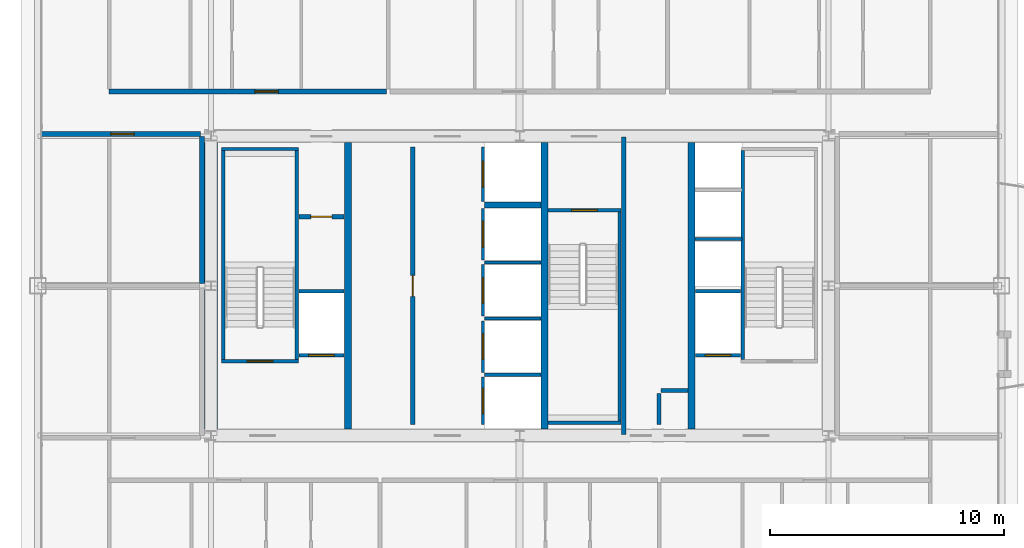
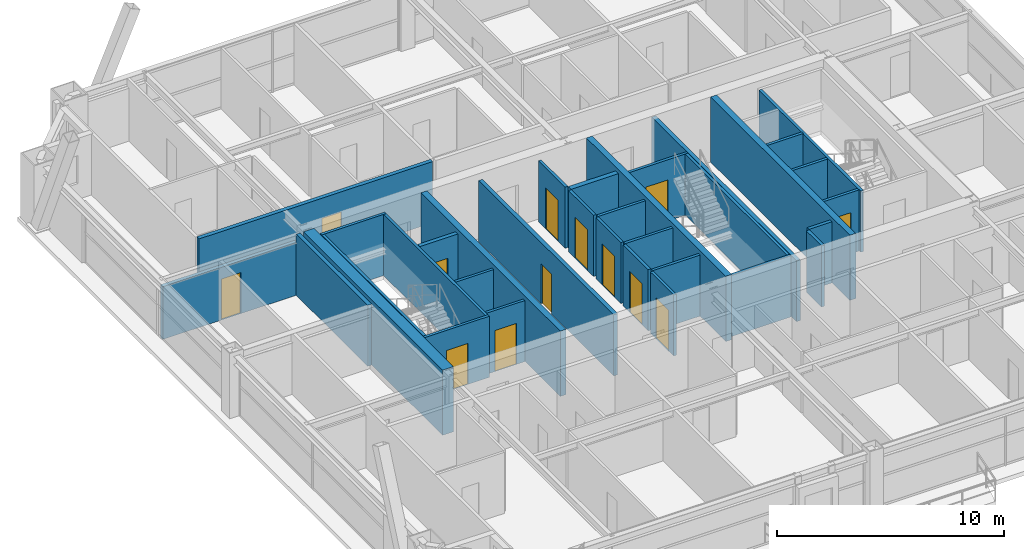
# One storey, part 31 of 35: 34 walls, 13 doors, 13 openings.
"""IFC4 building model written with IfcOpenShell, lengths in metres."""

from ifc_helpers import new_model, si_unit, direction, frame, frame_2d, origin, place, context, subcontext, project, spatial, rectangle, extrude, source, transform, mapped, material, layer, layer_set, type_object, element, fill, save


model = new_model("IFC4")

# Units and contexts
model_context = context("Model", 3, precision=1e-05, world=origin(), true_north=direction((0.0, 1.0)))
body_context = subcontext(model_context, "Body", "Model", "MODEL_VIEW")
ifc_project = project(units=[si_unit("LENGTHUNIT", "METRE"), si_unit("AREAUNIT", "SQUARE_METRE"), si_unit("VOLUMEUNIT", "CUBIC_METRE"), si_unit("PLANEANGLEUNIT", "RADIAN"), si_unit("MASSUNIT", "GRAM", prefix="KILO"), si_unit("THERMODYNAMICTEMPERATUREUNIT", "KELVIN"), si_unit("POWERUNIT", "WATT")], contexts=[model_context])

# Site, building, storey
site_placement = place(None, origin())
site = spatial("IfcSite", under=ifc_project, at=site_placement, CompositionType="ELEMENT")
building_placement = place(site_placement, origin())
building = spatial("IfcBuilding", under=site, at=building_placement, Name="Yuzanri Waterfront Tower", CompositionType="ELEMENT")
storey_placement = place(building_placement, frame((0.0, 0.0, 248.60009765625)))
storey = spatial("IfcBuildingStorey", under=building, at=storey_placement, Name="L66", CompositionType="ELEMENT", Elevation=248.60009765625)

# Wall, opening, door
ifc_material_1 = material(Name="Concrete C40", Category="concrete")
ifc_layer_1 = layer(ifc_material_1, 0.139892578125)
ifc_layer_set_1 = layer_set([ifc_layer_1], Name="Concrete C40")
wall_type_1 = type_object("IfcWallType", Name="Core Stair Liner and Hoistway Shaft Wall 140", PredefinedType="SOLIDWALL", material=ifc_layer_set_1)
wall_1_placement = place(storey_placement, frame((27.56005859375, 22.830078125, 0.0), z_axis=(0.0, 0.0, 1.0), x_axis=(1.0, 0.0, 0.0)))
wall_1 = element("IfcWall", 1, at=wall_1_placement, inside=storey, type_object=wall_type_1, Name="L66 Lift FL-01 Front Shaft Wall", PredefinedType="SOLIDWALL", context=body_context, shape_type="SweptSolid", body=[
    extrude(rectangle(XDim=1.919921875, YDim=0.139892578125, at=frame_2d((0.9599609375, 0.0))), origin(), (0.0, 0.0, 1.0), 3.27978515625),
])
opening_1_placement = place(wall_1_placement, frame((0.409912109375, 0.0, 0.0)))
opening_1 = element("IfcOpeningElement", 2, at=opening_1_placement, cuts=wall_1, Name="Opening LD-FL-01", PredefinedType="OPENING", context=body_context, shape_type="SweptSolid", body=[
    extrude(rectangle(XDim=1.10009765625, YDim=2.199951171875, at=frame_2d((0.550048828125, 1.10009765625))), frame((0.0, 0.0849609375, 0.0), z_axis=(0.0, -1.0, 0.0), x_axis=(1.0, 0.0, 0.0)), (0.0, 0.0, 1.0), 0.169677734375),
])
ifc_material_2 = material(Name="Brushed Bronze and Stainless Steel Cab", Category="steel")
door_type_1 = type_object("IfcDoorType", Name="Center-Parting Bronze Lift Landing Sliding Door 1100x2200", OperationType="NOTDEFINED", PredefinedType="DOOR", material=ifc_material_2)
shared_shape_1 = source(origin(), body_context, "Body", "SweptSolid", [
    extrude(rectangle(XDim=1.10009765625, YDim=2.199951171875, at=frame_2d((0.550048828125, 1.10009765625))), frame((0.0, 0.02490234375, 0.0), z_axis=(0.0, -1.0, 0.0), x_axis=(1.0, 0.0, 0.0)), (0.0, 0.0, 1.0), 0.050048828125),
])
door_1_placement = place(opening_1_placement, origin())
door_1 = element("IfcDoor", 3, at=door_1_placement, inside=storey, type_object=door_type_1, Name="L66 FL-01 Lift Landing Sliding Door", OperationType="SLIDING_TO_LEFT", OverallHeight=2.199951171875, OverallWidth=1.10009765625, PredefinedType="DOOR", context=body_context, shape_type="MappedRepresentation", body=[
    mapped(shared_shape_1, transform((0.0, 0.0, 0.0), scale=1.0)),
])
fill(opening_1, door_1)

wall_2_placement = place(storey_placement, frame((44.52001953125, 22.830078125, 0.0), z_axis=(0.0, 0.0, 1.0), x_axis=(1.0, 0.0, 0.0)))
wall_2 = element("IfcWall", 4, at=wall_2_placement, inside=storey, type_object=wall_type_1, Name="L66 Lift FL-02 Front Shaft Wall", PredefinedType="SOLIDWALL", context=body_context, shape_type="SweptSolid", body=[
    extrude(rectangle(XDim=1.919921875, YDim=0.139892578125, at=frame_2d((0.9599609375, 0.0))), origin(), (0.0, 0.0, 1.0), 3.27978515625),
])
opening_2_placement = place(wall_2_placement, frame((0.409912109375, 0.0, 0.0)))
opening_2 = element("IfcOpeningElement", 5, at=opening_2_placement, cuts=wall_2, Name="Opening LD-FL-02", PredefinedType="OPENING", context=body_context, shape_type="SweptSolid", body=[
    extrude(rectangle(XDim=1.10009765625, YDim=2.199951171875, at=frame_2d((0.550048828125, 1.10009765625))), frame((0.0, 0.0849609375, 0.0), z_axis=(0.0, -1.0, 0.0), x_axis=(1.0, 0.0, 0.0)), (0.0, 0.0, 1.0), 0.169677734375),
])
door_2_placement = place(opening_2_placement, origin())
door_2 = element("IfcDoor", 6, at=door_2_placement, inside=storey, type_object=door_type_1, Name="L66 FL-02 Lift Landing Sliding Door", OperationType="SLIDING_TO_RIGHT", OverallHeight=2.199951171875, OverallWidth=1.10009765625, PredefinedType="DOOR", context=body_context, shape_type="MappedRepresentation", body=[
    mapped(shared_shape_1, transform((0.0, 0.0, 0.0), scale=1.0)),
])
fill(opening_2, door_2)

wall_3_placement = place(storey_placement, frame((35.429931640625, 19.860107421875, 0.0), z_axis=(0.0, 0.0, 1.0), x_axis=(0.0, 1.0, 0.0)))
wall_3 = element("IfcWall", 7, at=wall_3_placement, inside=storey, type_object=wall_type_1, Name="L66 Lift PL-05 Front Shaft Wall", PredefinedType="SOLIDWALL", context=body_context, shape_type="SweptSolid", body=[
    extrude(rectangle(XDim=2.039794921875, YDim=0.139892578125, at=frame_2d((1.02001953125, 0.0))), origin(), (0.0, 0.0, 1.0), 3.27978515625),
])
opening_3_placement = place(wall_3_placement, frame((0.469970703125, 0.0, 0.0)))
opening_3 = element("IfcOpeningElement", 8, at=opening_3_placement, cuts=wall_3, Name="Opening LD-PL-05", PredefinedType="OPENING", context=body_context, shape_type="SweptSolid", body=[
    extrude(rectangle(XDim=1.10009765625, YDim=2.199951171875, at=frame_2d((0.550048828125, 1.10009765625))), frame((0.0, 0.0849609375, 0.0), z_axis=(0.0, -1.0, 0.0), x_axis=(1.0, 0.0, 0.0)), (0.0, 0.0, 1.0), 0.169677734375),
])
door_3_placement = place(opening_3_placement, origin())
door_3 = element("IfcDoor", 9, at=door_3_placement, inside=storey, type_object=door_type_1, Name="L66 PL-05 Lift Landing Sliding Door", OperationType="SLIDING_TO_RIGHT", OverallHeight=2.199951171875, OverallWidth=1.10009765625, PredefinedType="DOOR", context=body_context, shape_type="MappedRepresentation", body=[
    mapped(shared_shape_1, transform((0.0, 0.0, 0.0), scale=1.0)),
])
fill(opening_3, door_3)

wall_4_placement = place(storey_placement, frame((35.429931640625, 22.10009765625, 0.0), z_axis=(0.0, 0.0, 1.0), x_axis=(0.0, 1.0, 0.0)))
wall_4 = element("IfcWall", 10, at=wall_4_placement, inside=storey, type_object=wall_type_1, Name="L66 Lift PL-06 Front Shaft Wall", PredefinedType="SOLIDWALL", context=body_context, shape_type="SweptSolid", body=[
    extrude(rectangle(XDim=2.199951171875, YDim=0.139892578125, at=frame_2d((1.10009765625, 0.0))), origin(), (0.0, 0.0, 1.0), 3.27978515625),
])
opening_4_placement = place(wall_4_placement, frame((0.550048828125, 0.0, 0.0)))
opening_4 = element("IfcOpeningElement", 11, at=opening_4_placement, cuts=wall_4, Name="Opening LD-PL-06", PredefinedType="OPENING", context=body_context, shape_type="SweptSolid", body=[
    extrude(rectangle(XDim=1.10009765625, YDim=2.199951171875, at=frame_2d((0.550048828125, 1.10009765625))), frame((0.0, 0.0849609375, 0.0), z_axis=(0.0, -1.0, 0.0), x_axis=(1.0, 0.0, 0.0)), (0.0, 0.0, 1.0), 0.169677734375),
])
door_4_placement = place(opening_4_placement, origin())
door_4 = element("IfcDoor", 12, at=door_4_placement, inside=storey, type_object=door_type_1, Name="L66 PL-06 Lift Landing Sliding Door", OperationType="SLIDING_TO_LEFT", OverallHeight=2.199951171875, OverallWidth=1.10009765625, PredefinedType="DOOR", context=body_context, shape_type="MappedRepresentation", body=[
    mapped(shared_shape_1, transform((0.0, 0.0, 0.0), scale=1.0)),
])
fill(opening_4, door_4)

wall_5_placement = place(storey_placement, frame((35.429931640625, 24.5, 0.0), z_axis=(0.0, 0.0, 1.0), x_axis=(0.0, 1.0, 0.0)))
wall_5 = element("IfcWall", 13, at=wall_5_placement, inside=storey, type_object=wall_type_1, Name="L66 Lift PL-07 Front Shaft Wall", PredefinedType="SOLIDWALL", context=body_context, shape_type="SweptSolid", body=[
    extrude(rectangle(XDim=2.199951171875, YDim=0.139892578125, at=frame_2d((1.10009765625, 0.0))), origin(), (0.0, 0.0, 1.0), 3.27978515625),
])
opening_5_placement = place(wall_5_placement, frame((0.550048828125, 0.0, 0.0)))
opening_5 = element("IfcOpeningElement", 14, at=opening_5_placement, cuts=wall_5, Name="Opening LD-PL-07", PredefinedType="OPENING", context=body_context, shape_type="SweptSolid", body=[
    extrude(rectangle(XDim=1.10009765625, YDim=2.199951171875, at=frame_2d((0.550048828125, 1.10009765625))), frame((0.0, 0.0849609375, 0.0), z_axis=(0.0, -1.0, 0.0), x_axis=(1.0, 0.0, 0.0)), (0.0, 0.0, 1.0), 0.169677734375),
])
door_5_placement = place(opening_5_placement, origin())
door_5 = element("IfcDoor", 15, at=door_5_placement, inside=storey, type_object=door_type_1, Name="L66 PL-07 Lift Landing Sliding Door", OperationType="SLIDING_TO_RIGHT", OverallHeight=2.199951171875, OverallWidth=1.10009765625, PredefinedType="DOOR", context=body_context, shape_type="MappedRepresentation", body=[
    mapped(shared_shape_1, transform((0.0, 0.0, 0.0), scale=1.0)),
])
fill(opening_5, door_5)

wall_6_placement = place(storey_placement, frame((35.429931640625, 26.89990234375, 0.0), z_axis=(0.0, 0.0, 1.0), x_axis=(0.0, 1.0, 0.0)))
wall_6 = element("IfcWall", 16, at=wall_6_placement, inside=storey, type_object=wall_type_1, Name="L66 Lift PL-08 Front Shaft Wall", PredefinedType="SOLIDWALL", context=body_context, shape_type="SweptSolid", body=[
    extrude(rectangle(XDim=2.2001953125, YDim=0.139892578125, at=frame_2d((1.10009765625, 0.0))), origin(), (0.0, 0.0, 1.0), 3.27978515625),
])
opening_6_placement = place(wall_6_placement, frame((0.550048828125, 0.0, 0.0)))
opening_6 = element("IfcOpeningElement", 17, at=opening_6_placement, cuts=wall_6, Name="Opening LD-PL-08", PredefinedType="OPENING", context=body_context, shape_type="SweptSolid", body=[
    extrude(rectangle(XDim=1.10009765625, YDim=2.199951171875, at=frame_2d((0.550048828125, 1.10009765625))), frame((0.0, 0.0849609375, 0.0), z_axis=(0.0, -1.0, 0.0), x_axis=(1.0, 0.0, 0.0)), (0.0, 0.0, 1.0), 0.169677734375),
])
door_6_placement = place(opening_6_placement, origin())
door_6 = element("IfcDoor", 18, at=door_6_placement, inside=storey, type_object=door_type_1, Name="L66 PL-08 Lift Landing Sliding Door", OperationType="SLIDING_TO_LEFT", OverallHeight=2.199951171875, OverallWidth=1.10009765625, PredefinedType="DOOR", context=body_context, shape_type="MappedRepresentation", body=[
    mapped(shared_shape_1, transform((0.0, 0.0, 0.0), scale=1.0)),
])
fill(opening_6, door_6)

wall_7_placement = place(storey_placement, frame((35.429931640625, 29.39990234375, 0.0), z_axis=(0.0, 0.0, 1.0), x_axis=(0.0, 1.0, 0.0)))
wall_7 = element("IfcWall", 19, at=wall_7_placement, inside=storey, type_object=wall_type_1, Name="L66 Lift SL-02 Front Shaft Wall", PredefinedType="SOLIDWALL", context=body_context, shape_type="SweptSolid", body=[
    extrude(rectangle(XDim=2.340087890625, YDim=0.139892578125, at=frame_2d((1.169921875, 0.0))), origin(), (0.0, 0.0, 1.0), 3.27978515625),
])
opening_7_placement = place(wall_7_placement, frame((0.6201171875, 0.0, 0.0)))
opening_7 = element("IfcOpeningElement", 20, at=opening_7_placement, cuts=wall_7, Name="Opening LD-SL-02", PredefinedType="OPENING", context=body_context, shape_type="SweptSolid", body=[
    extrude(rectangle(XDim=1.10009765625, YDim=2.199951171875, at=frame_2d((0.550048828125, 1.10009765625))), frame((0.0, 0.0849609375, 0.0), z_axis=(0.0, -1.0, 0.0), x_axis=(1.0, 0.0, 0.0)), (0.0, 0.0, 1.0), 0.169677734375),
])
door_7_placement = place(opening_7_placement, origin())
door_7 = element("IfcDoor", 21, at=door_7_placement, inside=storey, type_object=door_type_1, Name="L66 SL-02 Lift Landing Sliding Door", OperationType="SLIDING_TO_RIGHT", OverallHeight=2.199951171875, OverallWidth=1.10009765625, PredefinedType="DOOR", context=body_context, shape_type="MappedRepresentation", body=[
    mapped(shared_shape_1, transform((0.0, 0.0, 0.0), scale=1.0)),
])
fill(opening_7, door_7)

wall_8_placement = place(storey_placement, frame((24.260009765625, 22.570068359375, 0.0), z_axis=(0.0, 0.0, 1.0), x_axis=(1.0, 0.0, 0.0)))
wall_8 = element("IfcWall", 22, at=wall_8_placement, inside=storey, type_object=wall_type_1, Name="L66 Shaft Wall STW-L66-ST-01-S", PredefinedType="SOLIDWALL", context=body_context, shape_type="SweptSolid", body=[
    extrude(rectangle(XDim=3.280029296875, YDim=0.139892578125, at=frame_2d((1.64013671875, 0.0))), origin(), (0.0, 0.0, 1.0), 3.27978515625),
])
opening_8_placement = place(wall_8_placement, frame((1.090087890625, 0.0, 0.0)))
opening_8 = element("IfcOpeningElement", 23, at=opening_8_placement, cuts=wall_8, Name="Opening FD-1100", PredefinedType="OPENING", context=body_context, shape_type="SweptSolid", body=[
    extrude(rectangle(XDim=1.10009765625, YDim=2.199951171875, at=frame_2d((0.550048828125, 1.10009765625))), frame((0.0, 0.0849609375, 0.0), z_axis=(0.0, -1.0, 0.0), x_axis=(1.0, 0.0, 0.0)), (0.0, 0.0, 1.0), 0.169677734375),
])
ifc_material_3 = material(Name="Painted Galvanized Fire Steel", Category="steel")
door_type_2 = type_object("IfcDoorType", Name="Smoke-Proof Stair and Lobby Fire Door 1100x2200", OperationType="NOTDEFINED", PredefinedType="DOOR", material=ifc_material_3)
shared_shape_2 = source(origin(), body_context, "Body", "SweptSolid", [
    extrude(rectangle(XDim=1.10009765625, YDim=2.199951171875, at=frame_2d((0.550048828125, 1.10009765625))), frame((0.0, 0.02490234375, 0.0), z_axis=(0.0, -1.0, 0.0), x_axis=(1.0, 0.0, 0.0)), (0.0, 0.0, 1.0), 0.050048828125),
])
door_8_placement = place(opening_8_placement, origin())
door_8 = element("IfcDoor", 24, at=door_8_placement, inside=storey, type_object=door_type_2, Name="L66 Stair ST-01 Fire Door", OperationType="SINGLE_SWING_LEFT", OverallHeight=2.199951171875, OverallWidth=1.10009765625, PredefinedType="DOOR", context=body_context, shape_type="MappedRepresentation", body=[
    mapped(shared_shape_2, transform((0.0, 0.0, 0.0), scale=1.0)),
])
fill(opening_8, door_8)

wall_9_placement = place(storey_placement, frame((38.199951171875, 29.030029296875, 0.0), z_axis=(0.0, 0.0, 1.0), x_axis=(1.0, 0.0, 0.0)))
wall_9 = element("IfcWall", 25, at=wall_9_placement, inside=storey, type_object=wall_type_1, Name="L66 Shaft Wall STW-L66-ST-03-N", PredefinedType="SOLIDWALL", context=body_context, shape_type="SweptSolid", body=[
    extrude(rectangle(XDim=3.14013671875, YDim=0.139892578125, at=frame_2d((1.570068359375, 0.0))), origin(), (0.0, 0.0, 1.0), 3.27978515625),
])
opening_9_placement = place(wall_9_placement, frame((1.02001953125, 0.0, 0.0)))
opening_9 = element("IfcOpeningElement", 26, at=opening_9_placement, cuts=wall_9, Name="Opening FD-1100", PredefinedType="OPENING", context=body_context, shape_type="SweptSolid", body=[
    extrude(rectangle(XDim=1.10009765625, YDim=2.199951171875, at=frame_2d((0.550048828125, 1.10009765625))), frame((0.0, 0.0849609375, 0.0), z_axis=(0.0, -1.0, 0.0), x_axis=(1.0, 0.0, 0.0)), (0.0, 0.0, 1.0), 0.169677734375),
])
door_9_placement = place(opening_9_placement, origin())
door_9 = element("IfcDoor", 27, at=door_9_placement, inside=storey, type_object=door_type_2, Name="L66 Stair ST-03 Fire Door", OperationType="SINGLE_SWING_LEFT", OverallHeight=2.199951171875, OverallWidth=1.10009765625, PredefinedType="DOOR", context=body_context, shape_type="MappedRepresentation", body=[
    mapped(shared_shape_2, transform((0.0, 0.0, 0.0), scale=1.0)),
])
fill(opening_9, door_9)

ifc_material_4 = material(Name="Autoclaved Aerated Concrete Blockwork", Category="masonry")
ifc_layer_2 = layer(ifc_material_4, 0.199951171875)
ifc_layer_set_2 = layer_set([ifc_layer_2], Name="Autoclaved Aerated Concrete Blockwork")
wall_type_2 = type_object("IfcWallType", Name="Corridor and Unit Party Fire Wall 200", PredefinedType="PARTITIONING", material=ifc_layer_set_2)
wall_10_placement = place(storey_placement, frame((27.56005859375, 28.75, 0.0), z_axis=(0.0, 0.0, 1.0), x_axis=(1.0, 0.0, 0.0)))
wall_10 = element("IfcWall", 28, at=wall_10_placement, inside=storey, type_object=wall_type_2, Name="L66 Partition CRW-L66-ERTR", PredefinedType="PARTITIONING", context=body_context, shape_type="SweptSolid", body=[
    extrude(rectangle(XDim=1.919921875, YDim=0.199951171875, at=frame_2d((0.9599609375, 0.0))), origin(), (0.0, 0.0, 1.0), 3.27978515625),
])
opening_10_placement = place(wall_10_placement, frame((0.510009765625, 0.0, 0.0)))
opening_10 = element("IfcOpeningElement", 29, at=opening_10_placement, cuts=wall_10, Name="Opening FD-0900", PredefinedType="OPENING", context=body_context, shape_type="SweptSolid", body=[
    extrude(rectangle(XDim=0.89990234375, YDim=2.14990234375, at=frame_2d((0.449951171875, 1.074951171875))), frame((0.0, 0.11474609375, 0.0), z_axis=(0.0, -1.0, 0.0), x_axis=(1.0, 0.0, 0.0)), (0.0, 0.0, 1.0), 0.229736328125),
])
ifc_material_5 = material(Name="Painted Galvanized Fire Steel", Category="steel")
door_type_3 = type_object("IfcDoorType", Name="Riser and Service Room Fire Door 900x2150", OperationType="NOTDEFINED", PredefinedType="DOOR", material=ifc_material_5)
shared_shape_3 = source(origin(), body_context, "Body", "SweptSolid", [
    extrude(rectangle(XDim=0.89990234375, YDim=2.14990234375, at=frame_2d((0.449951171875, 1.074951171875))), frame((0.0, 0.02490234375, 0.0), z_axis=(0.0, -1.0, 0.0), x_axis=(1.0, 0.0, 0.0)), (0.0, 0.0, 1.0), 0.050048828125),
])
door_10_placement = place(opening_10_placement, origin())
door_10 = element("IfcDoor", 30, at=door_10_placement, inside=storey, type_object=door_type_3, Name="L66 Electrical Riser Door", OperationType="SINGLE_SWING_RIGHT", OverallHeight=2.14990234375, OverallWidth=0.89990234375, PredefinedType="DOOR", context=body_context, shape_type="MappedRepresentation", body=[
    mapped(shared_shape_3, transform((0.0, 0.0, 0.0), scale=1.0)),
])
fill(opening_10, door_10)

wall_11_placement = place(storey_placement, frame((32.419921875, 19.860107421875, 0.0), z_axis=(0.0, 0.0, 1.0), x_axis=(0.0, 1.0, 0.0)))
wall_11 = element("IfcWall", 31, at=wall_11_placement, inside=storey, type_object=wall_type_2, Name="L66 Partition CRW-L66-B1R-1", PredefinedType="PARTITIONING", context=body_context, shape_type="SweptSolid", body=[
    extrude(rectangle(XDim=11.8798828125, YDim=0.199951171875, at=frame_2d((5.93994140625, 0.0))), origin(), (0.0, 0.0, 1.0), 3.27978515625),
])
opening_11_placement = place(wall_11_placement, frame((5.489990234375, 0.0, 0.0)))
opening_11 = element("IfcOpeningElement", 32, at=opening_11_placement, cuts=wall_11, Name="Opening FD-0900", PredefinedType="OPENING", context=body_context, shape_type="SweptSolid", body=[
    extrude(rectangle(XDim=0.89990234375, YDim=2.14990234375, at=frame_2d((0.449951171875, 1.074951171875))), frame((0.0, 0.11474609375, 0.0), z_axis=(0.0, -1.0, 0.0), x_axis=(1.0, 0.0, 0.0)), (0.0, 0.0, 1.0), 0.229736328125),
])
door_11_placement = place(opening_11_placement, origin())
door_11 = element("IfcDoor", 33, at=door_11_placement, inside=storey, type_object=door_type_3, Name="L66 Private Store Room", OperationType="SINGLE_SWING_LEFT", OverallHeight=2.14990234375, OverallWidth=0.89990234375, PredefinedType="DOOR", context=body_context, shape_type="MappedRepresentation", body=[
    mapped(shared_shape_3, transform((0.0, 0.0, 0.0), scale=1.0)),
])
fill(opening_11, door_11)

wall_12_placement = place(storey_placement, frame((19.43994140625, 34.110107421875, 0.0), z_axis=(0.0, 0.0, 1.0), x_axis=(1.0, 0.0, 0.0)))
wall_12 = element("IfcWall", 34, at=wall_12_placement, inside=storey, type_object=wall_type_2, Name="L66 Partition UW-L66-RN1-CS", PredefinedType="PARTITIONING", context=body_context, shape_type="SweptSolid", body=[
    extrude(rectangle(XDim=11.861083984375, YDim=0.199951171875, at=frame_2d((5.9306640625, 0.0))), origin(), (0.0, 0.0, 1.0), 3.27978515625),
])
opening_12_placement = place(wall_12_placement, frame((6.238037109375, 0.0, 0.0)))
opening_12 = element("IfcOpeningElement", 35, at=opening_12_placement, cuts=wall_12, Name="Opening FD-1000", PredefinedType="OPENING", context=body_context, shape_type="SweptSolid", body=[
    extrude(rectangle(XDim=1.0, YDim=2.199951171875, at=frame_2d((0.5, 1.10009765625))), frame((0.0, 0.11474609375, 0.0), z_axis=(0.0, -1.0, 0.0), x_axis=(1.0, 0.0, 0.0)), (0.0, 0.0, 1.0), 0.229736328125),
])
ifc_material_6 = material(Name="Engineered Oak Fire-Rated Timber", Category="wood")
door_type_4 = type_object("IfcDoorType", Name="Guestroom and Apartment Entrance Fire Door 1000x2200", OperationType="NOTDEFINED", PredefinedType="DOOR", material=ifc_material_6)
shared_shape_4 = source(origin(), body_context, "Body", "SweptSolid", [
    extrude(rectangle(XDim=1.0, YDim=2.199951171875, at=frame_2d((0.5, 1.10009765625))), frame((0.0, 0.02490234375, 0.0), z_axis=(0.0, -1.0, 0.0), x_axis=(1.0, 0.0, 0.0)), (0.0, 0.0, 1.0), 0.050048828125),
])
door_12_placement = place(opening_12_placement, origin())
door_12 = element("IfcDoor", 36, at=door_12_placement, inside=storey, type_object=door_type_4, Name="L66 Apartment Living and Dining Salon Entrance Door", OperationType="SINGLE_SWING_RIGHT", OverallHeight=2.199951171875, OverallWidth=1.0, PredefinedType="DOOR", context=body_context, shape_type="MappedRepresentation", body=[
    mapped(shared_shape_4, transform((0.0, 0.0, 0.0), scale=1.0)),
])
fill(opening_12, door_12)

wall_13_placement = place(storey_placement, frame((16.550048828125, 32.2900390625, 0.0), z_axis=(0.0, 0.0, 1.0), x_axis=(1.0, 0.0, 0.0)))
wall_13 = element("IfcWall", 37, at=wall_13_placement, inside=storey, type_object=wall_type_2, Name="L66 Partition UW-L66-048-CN", PredefinedType="PARTITIONING", context=body_context, shape_type="SweptSolid", body=[
    extrude(rectangle(XDim=6.800048828125, YDim=0.199951171875, at=frame_2d((3.39990234375, 0.0))), origin(), (0.0, 0.0, 1.0), 2.824951171875),
])
opening_13_placement = place(wall_13_placement, frame((2.965087890625, 0.0, 0.0)))
opening_13 = element("IfcOpeningElement", 38, at=opening_13_placement, cuts=wall_13, Name="Opening FD-1000", PredefinedType="OPENING", context=body_context, shape_type="SweptSolid", body=[
    extrude(rectangle(XDim=1.0, YDim=2.199951171875, at=frame_2d((0.5, 1.10009765625))), frame((0.0, 0.11474609375, 0.0), z_axis=(0.0, -1.0, 0.0), x_axis=(1.0, 0.0, 0.0)), (0.0, 0.0, 1.0), 0.229736328125),
])
door_13_placement = place(opening_13_placement, origin())
door_13 = element("IfcDoor", 39, at=door_13_placement, inside=storey, type_object=door_type_4, Name="L66 Residents W Executive Office 2 Entrance Door", OperationType="SINGLE_SWING_LEFT", OverallHeight=2.199951171875, OverallWidth=1.0, PredefinedType="DOOR", context=body_context, shape_type="MappedRepresentation", body=[
    mapped(shared_shape_4, transform((0.0, 0.0, 0.0), scale=1.0)),
])
fill(opening_13, door_13)

# Walls
ifc_material_7 = material(Name="Concrete C50", Category="concrete")
ifc_layer_3 = layer(ifc_material_7, 0.550048828125)
ifc_layer_set_3 = layer_set([ifc_layer_3], Name="Concrete C50")
wall_type_3 = type_object("IfcWallType", Name="Concrete C50 Upper-Mid Zone Core Shear Wall 550", PredefinedType="SHEAR", material=ifc_layer_set_3)
shared_shape_5 = source(origin(), body_context, "Body", "SweptSolid", [
    extrude(rectangle(XDim=12.25, YDim=0.550048828125, at=frame_2d((6.125, 0.0))), origin(), (0.0, 0.0, 1.0), 3.5),
])
wall_14_placement = place(storey_placement, frame((23.800048828125, 19.675048828125, 0.0), z_axis=(0.0, 0.0, 1.0), x_axis=(0.0, 1.0, 0.0)))
element("IfcWall", 40, at=wall_14_placement, inside=storey, type_object=wall_type_3, Name="L66 Core West Shear Wall", PredefinedType="SHEAR", context=body_context, shape_type="MappedRepresentation", body=[
    mapped(shared_shape_5, transform((0.0, 0.0, 0.0), scale=1.0)),
])
ifc_material_8 = material(Name="Concrete C50", Category="concrete")
ifc_layer_4 = layer(ifc_material_8, 0.300048828125)
ifc_layer_set_4 = layer_set([ifc_layer_4], Name="Concrete C50")
wall_type_4 = type_object("IfcWallType", Name="Concrete C50 Internal Core Shaft Structural Wall 300", PredefinedType="SOLIDWALL", material=ifc_layer_set_4)
shared_shape_6 = source(origin(), body_context, "Body", "SweptSolid", [
    extrude(rectangle(XDim=12.25, YDim=0.300048828125, at=frame_2d((6.125, 0.0))), origin(), (0.0, 0.0, 1.0), 3.5),
])
for number, where, z_axis, x_axis, name in (
    (41, (29.64990234375, 19.675048828125, 0.0), (0.0, 0.0, 1.0), (0.0, 1.0, 0.0), "L66 Core Internal Structural Web Wall 1"),
    (42, (38.050048828125, 19.675048828125, 0.0), (0.0, 0.0, 1.0), (0.0, 1.0, 0.0), "L66 Core Internal Structural Web Wall 2"),
    (43, (44.35009765625, 19.675048828125, 0.0), (0.0, 0.0, 1.0), (0.0, 1.0, 0.0), "L66 Core Internal Structural Web Wall 3"),
):
    element("IfcWall", number, at=place(storey_placement, frame(where, z_axis=z_axis, x_axis=x_axis)), inside=storey, type_object=wall_type_4, Name=name, PredefinedType="SOLIDWALL", context=body_context, shape_type="MappedRepresentation", body=[
        mapped(shared_shape_6, transform((0.0, 0.0, 0.0), scale=1.0)),
    ])
shared_shape_7 = source(origin(), body_context, "Body", "SweptSolid", [
    extrude(rectangle(XDim=1.919921875, YDim=0.139892578125, at=frame_2d((0.9599609375, 0.0))), origin(), (0.0, 0.0, 1.0), 3.27978515625),
])
for number, where, z_axis, x_axis, name in (
    (44, (27.56005859375, 25.570068359375, 0.0), (0.0, 0.0, 1.0), (1.0, 0.0, 0.0), "L66 Lift FL-01 Back Shaft Wall"),
    (45, (44.52001953125, 25.570068359375, 0.0), (0.0, 0.0, 1.0), (1.0, 0.0, 0.0), "L66 Lift FL-02 Back Shaft Wall"),
):
    element("IfcWall", number, at=place(storey_placement, frame(where, z_axis=z_axis, x_axis=x_axis)), inside=storey, type_object=wall_type_1, Name=name, PredefinedType="SOLIDWALL", context=body_context, shape_type="MappedRepresentation", body=[
        mapped(shared_shape_7, transform((0.0, 0.0, 0.0), scale=1.0)),
    ])
shared_shape_8 = source(origin(), body_context, "Body", "SweptSolid", [
    extrude(rectangle(XDim=2.39990234375, YDim=0.139892578125, at=frame_2d((1.199951171875, 0.0))), origin(), (0.0, 0.0, 1.0), 3.27978515625),
])
for number, where, z_axis, x_axis, name in (
    (46, (35.5, 22.0, 0.0), (0.0, 0.0, 1.0), (1.0, 0.0, 0.0), "L66 Lift PL-05 Divider Wall"),
    (47, (35.5, 24.39990234375, 0.0), (0.0, 0.0, 1.0), (1.0, 0.0, 0.0), "L66 Lift PL-06 Divider Wall"),
    (48, (35.5, 26.800048828125, 0.0), (0.0, 0.0, 1.0), (1.0, 0.0, 0.0), "L66 Lift PL-07 Divider Wall"),
):
    element("IfcWall", number, at=place(storey_placement, frame(where, z_axis=z_axis, x_axis=x_axis)), inside=storey, type_object=wall_type_1, Name=name, PredefinedType="SOLIDWALL", context=body_context, shape_type="MappedRepresentation", body=[
        mapped(shared_shape_8, transform((0.0, 0.0, 0.0), scale=1.0)),
    ])
ifc_material_9 = material(Name="Concrete C40", Category="concrete")
ifc_layer_5 = layer(ifc_material_9, 0.25)
ifc_layer_set_5 = layer_set([ifc_layer_5], Name="Concrete C40")
wall_type_5 = type_object("IfcWallType", Name="Smoke-Proof Stair and Lift Shaft Wall 250", PredefinedType="SOLIDWALL", material=ifc_layer_set_5)
shared_shape_9 = source(origin(), body_context, "Body", "SweptSolid", [
    extrude(rectangle(XDim=2.39990234375, YDim=0.25, at=frame_2d((1.199951171875, 0.0))), origin(), (0.0, 0.0, 1.0), 3.27978515625),
])
wall_15_placement = place(storey_placement, frame((35.5, 29.25, 0.0), z_axis=(0.0, 0.0, 1.0), x_axis=(1.0, 0.0, 0.0)))
element("IfcWall", 49, at=wall_15_placement, inside=storey, type_object=wall_type_5, Name="L66 Lift SL-02 South Shaft Wall", PredefinedType="SOLIDWALL", context=body_context, shape_type="MappedRepresentation", body=[
    mapped(shared_shape_9, transform((0.0, 0.0, 0.0), scale=1.0)),
])
shared_shape_10 = source(origin(), body_context, "Body", "SweptSolid", [
    extrude(rectangle(XDim=2.0, YDim=0.139892578125, at=frame_2d((1.0, 0.0))), origin(), (0.0, 0.0, 1.0), 3.27978515625),
])
wall_16_placement = place(storey_placement, frame((44.5, 27.800048828125, 0.0), z_axis=(0.0, 0.0, 1.0), x_axis=(1.0, 0.0, 0.0)))
element("IfcWall", 50, at=wall_16_placement, inside=storey, type_object=wall_type_1, Name="L66 Lift PL-09 Divider Wall", PredefinedType="SOLIDWALL", context=body_context, shape_type="MappedRepresentation", body=[
    mapped(shared_shape_10, transform((0.0, 0.0, 0.0), scale=1.0)),
])
shared_shape_11 = source(origin(), body_context, "Body", "SweptSolid", [
    extrude(rectangle(XDim=3.280029296875, YDim=0.139892578125, at=frame_2d((1.64013671875, 0.0))), origin(), (0.0, 0.0, 1.0), 3.27978515625),
])
wall_17_placement = place(storey_placement, frame((24.260009765625, 31.64990234375, 0.0), z_axis=(0.0, 0.0, 1.0), x_axis=(1.0, 0.0, 0.0)))
element("IfcWall", 51, at=wall_17_placement, inside=storey, type_object=wall_type_1, Name="L66 Stair ST-01 North Shaft Wall", PredefinedType="SOLIDWALL", context=body_context, shape_type="MappedRepresentation", body=[
    mapped(shared_shape_11, transform((0.0, 0.0, 0.0), scale=1.0)),
])
shared_shape_12 = source(origin(), body_context, "Body", "SweptSolid", [
    extrude(rectangle(XDim=8.940185546875, YDim=0.139892578125, at=frame_2d((4.47021484375, 0.0))), origin(), (0.0, 0.0, 1.0), 3.27978515625),
])
for number, where, z_axis, x_axis, name in (
    (52, (24.330078125, 22.639892578125, 0.0), (0.0, 0.0, 1.0), (0.0, 1.0, 0.0), "L66 Stair ST-01 West Shaft Wall"),
    (53, (27.469970703125, 22.639892578125, 0.0), (0.0, 0.0, 1.0), (0.0, 1.0, 0.0), "L66 Stair ST-01 East Shaft Wall"),
    (54, (46.530029296875, 22.639892578125, 0.0), (0.0, 0.0, 1.0), (0.0, 1.0, 0.0), "L66 Stair ST-02 West Shaft Wall"),
):
    element("IfcWall", number, at=place(storey_placement, frame(where, z_axis=z_axis, x_axis=x_axis)), inside=storey, type_object=wall_type_1, Name=name, PredefinedType="SOLIDWALL", context=body_context, shape_type="MappedRepresentation", body=[
        mapped(shared_shape_12, transform((0.0, 0.0, 0.0), scale=1.0)),
    ])
shared_shape_13 = source(origin(), body_context, "Body", "SweptSolid", [
    extrude(rectangle(XDim=3.14013671875, YDim=0.139892578125, at=frame_2d((1.570068359375, 0.0))), origin(), (0.0, 0.0, 1.0), 3.27978515625),
])
wall_18_placement = place(storey_placement, frame((38.199951171875, 19.949951171875, 0.0), z_axis=(0.0, 0.0, 1.0), x_axis=(1.0, 0.0, 0.0)))
element("IfcWall", 55, at=wall_18_placement, inside=storey, type_object=wall_type_1, Name="L66 Stair ST-03 South Shaft Wall", PredefinedType="SOLIDWALL", context=body_context, shape_type="MappedRepresentation", body=[
    mapped(shared_shape_13, transform((0.0, 0.0, 0.0), scale=1.0)),
])
shared_shape_14 = source(origin(), body_context, "Body", "SweptSolid", [
    extrude(rectangle(XDim=8.93994140625, YDim=0.139892578125, at=frame_2d((4.469970703125, 0.0))), origin(), (0.0, 0.0, 1.0), 3.27978515625),
])
wall_19_placement = place(storey_placement, frame((41.27001953125, 20.02001953125, 0.0), z_axis=(0.0, 0.0, 1.0), x_axis=(0.0, 1.0, 0.0)))
element("IfcWall", 56, at=wall_19_placement, inside=storey, type_object=wall_type_1, Name="L66 Stair ST-03 East Shaft Wall", PredefinedType="SOLIDWALL", context=body_context, shape_type="MappedRepresentation", body=[
    mapped(shared_shape_14, transform((0.0, 0.0, 0.0), scale=1.0)),
])
ifc_material_10 = material(Name="Gypsum Fireboard Acoustic Stud Wall", Category="gypsum")
ifc_layer_6 = layer(ifc_material_10, 0.159912109375)
ifc_layer_set_6 = layer_set([ifc_layer_6], Name="Gypsum Fireboard Acoustic Stud Wall")
wall_type_6 = type_object("IfcWallType", Name="Acoustic Suite Demising Partition 160", PredefinedType="PARTITIONING", material=ifc_layer_set_6)
shared_shape_15 = source(origin(), body_context, "Body", "SweptSolid", [
    extrude(rectangle(XDim=1.33984375, YDim=0.159912109375, at=frame_2d((0.669921875, 0.0))), origin(), (0.0, 0.0, 1.0), 3.27978515625),
])
wall_20_placement = place(storey_placement, frame((42.949951171875, 19.860107421875, 0.0), z_axis=(0.0, 0.0, 1.0), x_axis=(0.0, 1.0, 0.0)))
element("IfcWall", 57, at=wall_20_placement, inside=storey, type_object=wall_type_6, Name="L66 East Wet Riser West Wall", PredefinedType="PARTITIONING", context=body_context, shape_type="MappedRepresentation", body=[
    mapped(shared_shape_15, transform((0.0, 0.0, 0.0), scale=1.0)),
])
shared_shape_16 = source(origin(), body_context, "Body", "SweptSolid", [
    extrude(rectangle(XDim=1.169921875, YDim=0.159912109375, at=frame_2d((0.5849609375, 0.0))), origin(), (0.0, 0.0, 1.0), 3.27978515625),
])
wall_21_placement = place(storey_placement, frame((43.030029296875, 21.320068359375, 0.0), z_axis=(0.0, 0.0, 1.0), x_axis=(1.0, 0.0, 0.0)))
element("IfcWall", 58, at=wall_21_placement, inside=storey, type_object=wall_type_6, Name="L66 East Wet Riser North Wall", PredefinedType="PARTITIONING", context=body_context, shape_type="MappedRepresentation", body=[
    mapped(shared_shape_16, transform((0.0, 0.0, 0.0), scale=1.0)),
])
shared_shape_17 = source(origin(), body_context, "Body", "SweptSolid", [
    extrude(rectangle(XDim=12.719970703125, YDim=0.199951171875, at=frame_2d((6.35986328125, 0.0))), origin(), (0.0, 0.0, 1.0), 3.27978515625),
])
wall_22_placement = place(storey_placement, frame((41.449951171875, 19.43994140625, 0.0), z_axis=(0.0, 0.0, 1.0), x_axis=(0.0, 1.0, 0.0)))
element("IfcWall", 59, at=wall_22_placement, inside=storey, type_object=wall_type_2, Name="L66 Core BOH West Wall 1", PredefinedType="PARTITIONING", context=body_context, shape_type="MappedRepresentation", body=[
    mapped(shared_shape_17, transform((0.0, 0.0, 0.0), scale=1.0)),
])
shared_shape_18 = source(origin(), body_context, "Body", "SweptSolid", [
    extrude(rectangle(XDim=6.2900390625, YDim=0.199951171875, at=frame_2d((3.14501953125, 0.0))), origin(), (0.0, 0.0, 1.0), 3.27978515625),
])
wall_23_placement = place(storey_placement, frame((23.419921875, 25.89990234375, 0.0), z_axis=(0.0, 0.0, 1.0), x_axis=(0.0, 1.0, 0.0)))
element("IfcWall", 60, at=wall_23_placement, inside=storey, type_object=wall_type_2, Name="L66-048 Wing Inner Core-Side Wall", PredefinedType="PARTITIONING", context=body_context, shape_type="MappedRepresentation", body=[
    mapped(shared_shape_18, transform((0.0, 0.0, 0.0), scale=1.0)),
])

save(model, "model.ifc")
